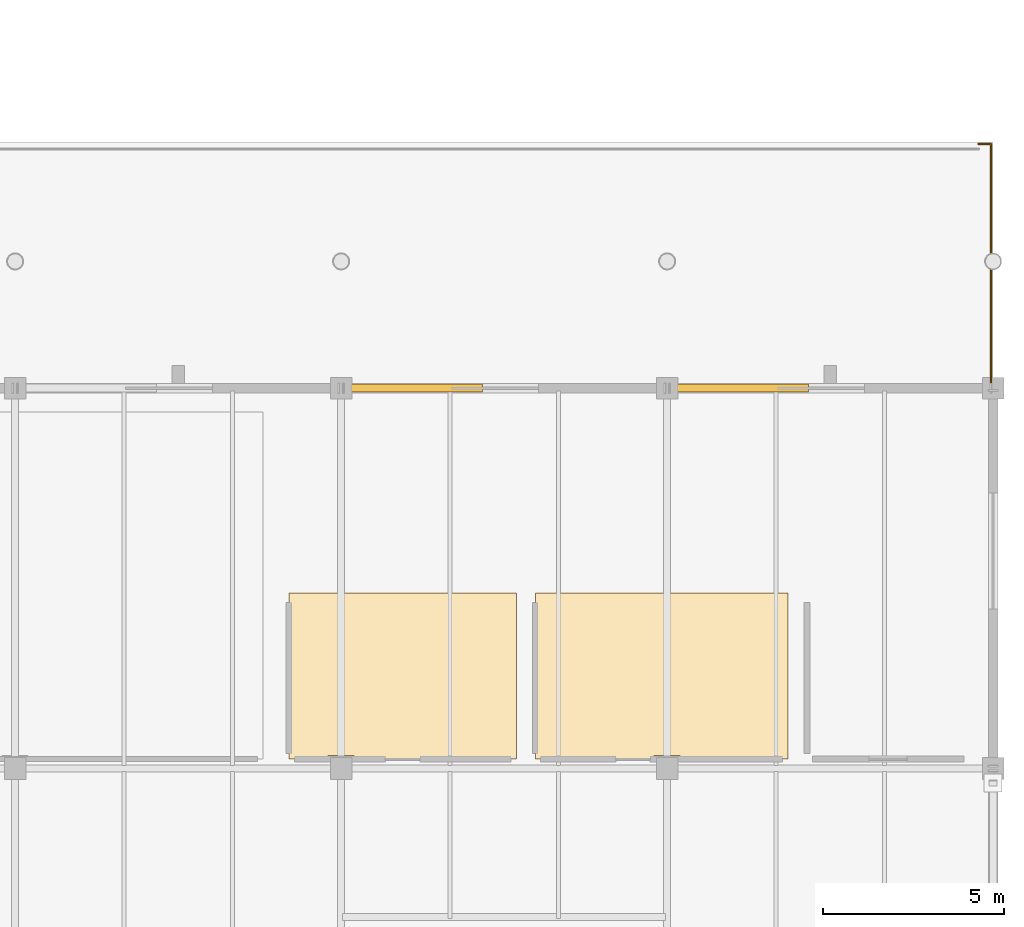
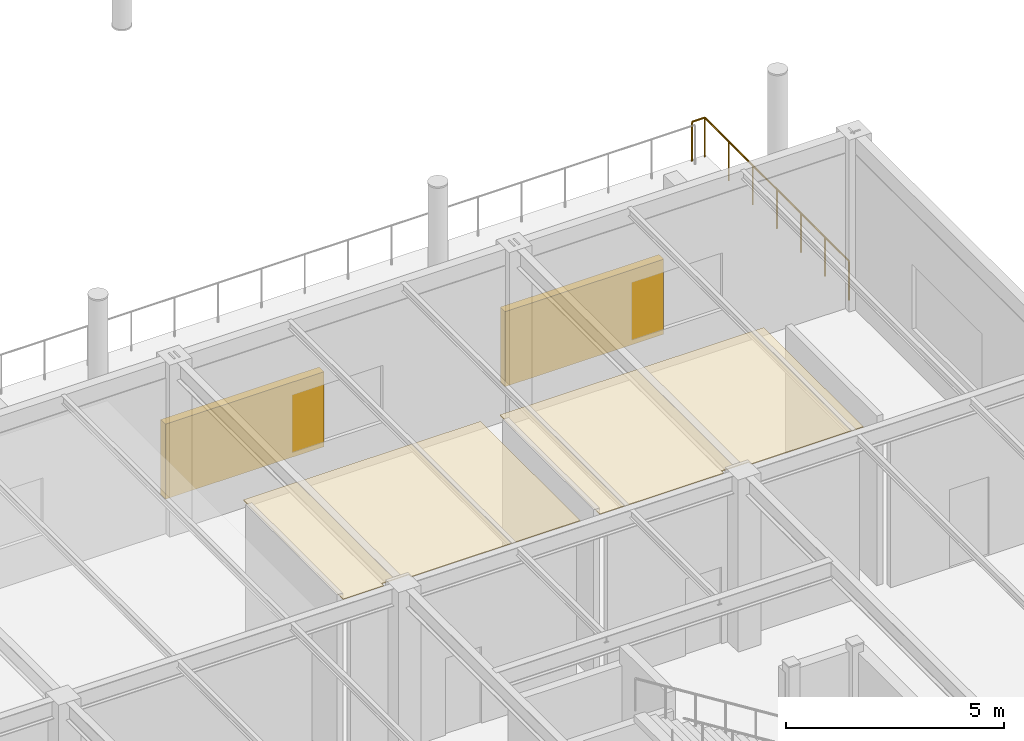
# One storey, part 137 of 143: 2 coverings, 2 shading devices, 1 railing.
"""IFC4 building model written with IfcOpenShell, lengths in metres."""

from ifc_helpers import new_model, si_unit, direction, frame, origin, origin_2d, place, context, subcontext, project, spatial, polyline, rectangle, circle, outline, extrude, material, layer, layer_set, type_object, element, save


model = new_model("IFC4")

# Units and contexts
model_context = context("Model", 3, precision=1e-05, world=origin(), true_north=direction((0.0, 1.0)))
body_context = subcontext(model_context, "Body", "Model", "MODEL_VIEW")
ifc_project = project(units=[si_unit("LENGTHUNIT", "METRE"), si_unit("AREAUNIT", "SQUARE_METRE"), si_unit("VOLUMEUNIT", "CUBIC_METRE"), si_unit("PLANEANGLEUNIT", "RADIAN"), si_unit("MASSUNIT", "GRAM", prefix="KILO")], contexts=[model_context])

# Site, building, storey
site_placement = place(None, origin())
site = spatial("IfcSite", under=ifc_project, at=site_placement, CompositionType="ELEMENT")
building_placement = place(site_placement, origin())
building = spatial("IfcBuilding", under=site, at=building_placement, Name="Marlcrest Central Station", CompositionType="ELEMENT")
storey_placement = place(building_placement, frame((0.0, 0.0, 4.800048828125)))
storey = spatial("IfcBuildingStorey", under=building, at=storey_placement, Name="L01", CompositionType="ELEMENT", Elevation=4.800048828125)

# Coverings
ifc_material_1 = material(Name="Perforated acoustic mineral-fibre ceiling")
ifc_layer = layer(ifc_material_1, 0.02490234375, Name="CV-CLG")
ifc_layer_set = layer_set([ifc_layer], Name="Perforated acoustic mineral-fibre ceiling")
covering_type = type_object("IfcCoveringType", Name="CV-CLG", PredefinedType="CEILING", material=ifc_layer_set)
covering_1_placement = place(storey_placement, frame((0.0, 0.0, 4.675048828125)))
element("IfcCovering", 1, at=covering_1_placement, inside=storey, type_object=covering_type, Name="cov-clg-0078", PredefinedType="CEILING", context=body_context, shape_type="SweptSolid", body=[
    extrude(outline(polyline([(196.56005859375, 22.760009765625), (196.56005859375, 27.340087890625), (202.840087890625, 27.340087890625), (202.840087890625, 22.760009765625), (198.360107421875, 22.760009765625), (198.360107421875, 22.860107421875), (197.639892578125, 22.860107421875), (197.639892578125, 22.760009765625), (196.56005859375, 22.760009765625)])), origin(), (0.0, 0.0, 1.0), 0.02490234375),
])
covering_2_placement = place(storey_placement, frame((0.0, 0.0, 4.675048828125)))
element("IfcCovering", 2, at=covering_2_placement, inside=storey, type_object=covering_type, Name="cov-clg-0079", PredefinedType="CEILING", context=body_context, shape_type="SweptSolid", body=[
    extrude(outline(polyline([(203.360107421875, 22.760009765625), (203.360107421875, 27.340087890625), (210.340087890625, 27.340087890625), (210.340087890625, 22.760009765625), (207.360107421875, 22.760009765625), (207.360107421875, 22.860107421875), (206.639892578125, 22.860107421875), (206.639892578125, 22.760009765625), (203.360107421875, 22.760009765625)])), origin(), (0.0, 0.0, 1.0), 0.02490234375),
])

# Railing
ifc_material_2 = material(Name="Stainless steel and laminated glass concourse balustrade", Category="steel")
railing_type = type_object("IfcRailingType", Name="GR-02", PredefinedType="BALUSTRADE", material=ifc_material_2)
railing_placement = place(storey_placement, frame((215.60009765625, 39.739990234375, 0.0)))
element("IfcRailing", 3, at=railing_placement, inside=storey, type_object=railing_type, Name="hr-L01-00396", PredefinedType="BALUSTRADE", context=body_context, shape_type="SweptSolid", body=[
    extrude(circle(Radius=0.02392578125, at=origin_2d()), frame((0.0, 0.0, 1.09619140625), z_axis=(1.0, 0.0, 0.0), x_axis=(0.0, 1.0, 0.0)), (0.0, 0.0, 1.0), 0.33984375),
    extrude(circle(Radius=0.02392578125, at=origin_2d()), frame((0.33984375, 0.0, 1.09619140625), z_axis=(0.0, -1.0, 0.0), x_axis=(1.0, 0.0, 0.0)), (0.0, 0.0, 1.0), 6.616943359375),
    extrude(circle(Radius=0.02099609375, at=origin_2d()), origin(), (0.0, 0.0, 1.0), 1.072021484375),
    extrude(circle(Radius=0.02099609375, at=origin_2d()), frame((0.33984375, 0.0, 0.0)), (0.0, 0.0, 1.0), 1.072021484375),
    extrude(circle(Radius=0.02099609375, at=origin_2d()), frame((0.33984375, -1.102783203125, 0.0)), (0.0, 0.0, 1.0), 1.072021484375),
    extrude(circle(Radius=0.02099609375, at=origin_2d()), frame((0.33984375, -2.20556640625, 0.0)), (0.0, 0.0, 1.0), 1.072021484375),
    extrude(circle(Radius=0.02099609375, at=origin_2d()), frame((0.33984375, -3.30859375, 0.0)), (0.0, 0.0, 1.0), 1.072021484375),
    extrude(circle(Radius=0.02099609375, at=origin_2d()), frame((0.33984375, -4.411376953125, 0.0)), (0.0, 0.0, 1.0), 1.072021484375),
    extrude(circle(Radius=0.02099609375, at=origin_2d()), frame((0.33984375, -5.51416015625, 0.0)), (0.0, 0.0, 1.0), 1.072021484375),
    extrude(circle(Radius=0.02099609375, at=origin_2d()), frame((0.33984375, -6.616943359375, 0.0)), (0.0, 0.0, 1.0), 1.072021484375),
])

# Shading devices
ifc_material_3 = material(Name="Bronze-anodised aluminium storm louvre", Category="aluminium")
shading_device_type = type_object("IfcShadingDeviceType", Name="SD-JL2", PredefinedType="JALOUSIE", material=ifc_material_3)
for number, where, z_axis, x_axis, name in (
    (4, (199.800048828125, 33.0, 0.949951171875), (0.0, 0.0, 1.0), (1.0, 0.0, 0.0), "shd-L01-0092"),
    (5, (208.800048828125, 33.0, 0.949951171875), (0.0, 0.0, 1.0), (1.0, 0.0, 0.0), "shd-L01-0094"),
):
    element("IfcShadingDevice", number, at=place(storey_placement, frame(where, z_axis=z_axis, x_axis=x_axis)), inside=storey, type_object=shading_device_type, Name=name, PredefinedType="JALOUSIE", context=body_context, shape_type="SweptSolid", body=[
        extrude(rectangle(XDim=4.199951171875, YDim=0.219970703125, at=origin_2d()), origin(), (0.0, 0.0, 1.0), 2.10009765625),
    ])

save(model, "model.ifc")
